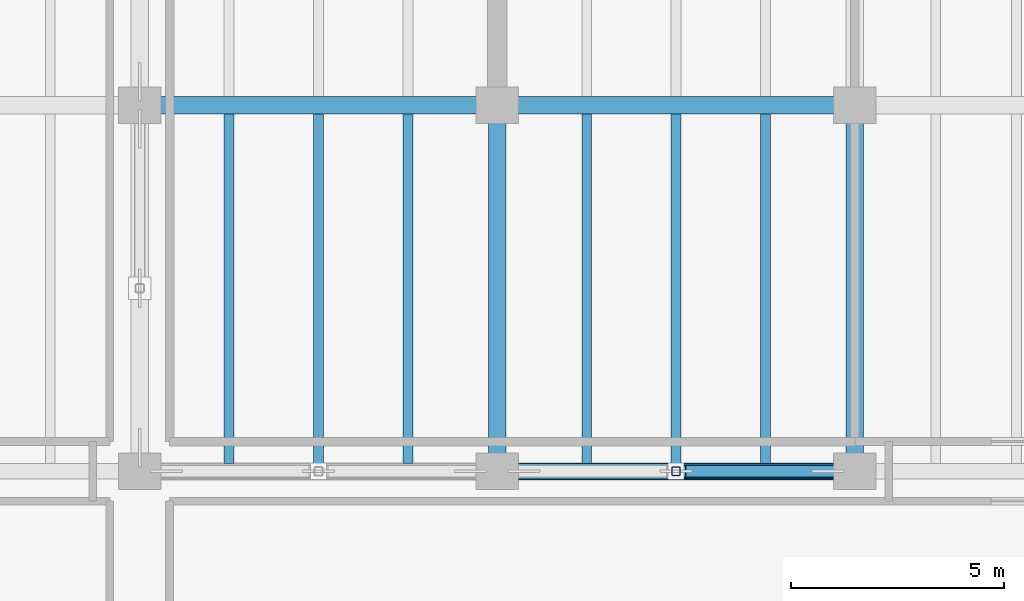
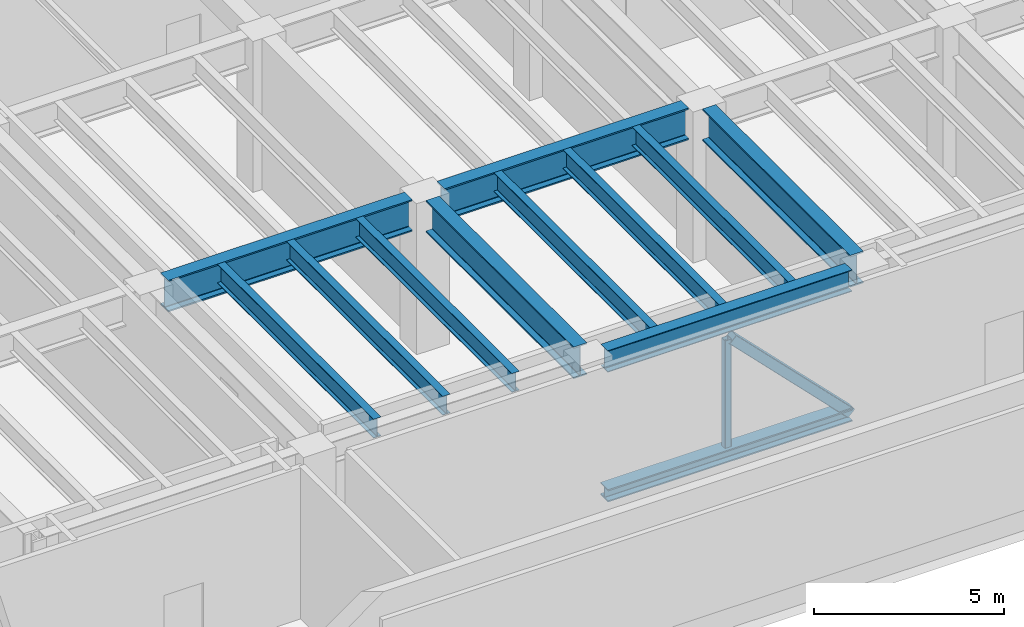
# One storey, part 3 of 18: 12 beams, 2 members.
"""IFC4 building model written with IfcOpenShell, lengths in metres."""

import ifcopenshell
import ifcopenshell.guid

model = None  # the IFC model being written
_history = None  # IfcOwnerHistory: only IFC2X3 demands one
_inside = {}  # id of a spatial element -> (the spatial element, [elements in it])
_under = {}  # id of a project, library or spatial element -> (it, [spatial elements below it])
_declared = {}  # id of a project -> (the project, [libraries it declares])
_typed = {}  # id of a type object -> (the type object, [elements of that type])
_made_of = {}  # id of a material, layer set ... -> (it, [elements and type objects made of it])


def new_model(schema):
    """Start an empty IFC model of exactly this schema.

    Asked for "IFC4X3", IfcOpenShell would pick the latest addendum, in which some entities
    have other attributes; the version numbers below select the first issue.
    IFC2X3 requires an IfcOwnerHistory on every rooted entity: one is made here for all.
    """
    global model, _history
    if schema == "IFC4X3":
        model = ifcopenshell.file(schema_version=(4, 3, 0, 0))
    else:
        model = ifcopenshell.file(schema=schema)
    _inside.clear()
    _under.clear()
    _declared.clear()
    _typed.clear()
    _made_of.clear()
    _history = None
    if model.schema == "IFC2X3":
        org = make("IfcOrganization", Name="unknown")
        user = make(
            "IfcPersonAndOrganization",
            ThePerson=make("IfcPerson", FamilyName="unknown"),
            TheOrganization=org,
        )
        app = make(
            "IfcApplication",
            ApplicationDeveloper=org,
            Version="unknown",
            ApplicationFullName="unknown",
            ApplicationIdentifier="unknown",
        )
        _history = make(
            "IfcOwnerHistory",
            OwningUser=user,
            OwningApplication=app,
            ChangeAction="ADDED",
            CreationDate=0,
        )
    return model


def make(cls, **values):
    """One entity of the class cls with the attributes given. An attribute that is None is left unset."""
    return model.create_entity(
        cls, **{name: value for name, value in values.items() if value is not None}
    )


def rooted(cls, **values):
    """An entity with a GlobalId (a new one), such as an element, a storey or a relation."""
    return make(cls, GlobalId=ifcopenshell.guid.new(), OwnerHistory=_history, **values)


def si_unit(unit_type, name, prefix=None):
    """IfcSIUnit, for example si_unit("LENGTHUNIT", "METRE", prefix="MILLI")."""
    return make("IfcSIUnit", UnitType=unit_type, Prefix=prefix, Name=name)


def assignment(units):
    """IfcUnitAssignment: the units of a project."""
    return None if units is None else make("IfcUnitAssignment", Units=units)


def point(xyz):
    """IfcCartesianPoint."""
    return None if xyz is None else make("IfcCartesianPoint", Coordinates=xyz)


def direction(xyz):
    """IfcDirection."""
    return None if xyz is None else make("IfcDirection", DirectionRatios=xyz)


def frame(location, z_axis=None, x_axis=None):
    """IfcAxis2Placement3D, a coordinate frame: its origin and axes. An axis left out is left unset."""
    return make(
        "IfcAxis2Placement3D",
        Location=point(location),
        Axis=direction(z_axis),
        RefDirection=direction(x_axis),
    )


def frame_2d(location, x_axis=None):
    """IfcAxis2Placement2D, a coordinate frame in the plane: its origin and x axis."""
    return make(
        "IfcAxis2Placement2D", Location=point(location), RefDirection=direction(x_axis)
    )


def origin():
    """The frame at (0, 0, 0) with its axes left unset."""
    return frame((0.0, 0.0, 0.0))


def origin_2d():
    """The frame at (0, 0) in the plane with its x axis left unset."""
    return frame_2d((0.0, 0.0))


def place(relative_to, where):
    """IfcLocalPlacement: puts the frame where relative to a parent placement (None: the world)."""
    return make(
        "IfcLocalPlacement", PlacementRelTo=relative_to, RelativePlacement=where
    )


def context(
    kind, dimensions, precision=None, world=None, true_north=None, identifier=None
):
    """IfcGeometricRepresentationContext, for example the 3D "Model" context."""
    return make(
        "IfcGeometricRepresentationContext",
        ContextIdentifier=identifier,
        ContextType=kind,
        CoordinateSpaceDimension=dimensions,
        Precision=precision,
        WorldCoordinateSystem=world,
        TrueNorth=true_north,
    )


def subcontext(parent, identifier, kind, view, scale=None):
    """IfcGeometricRepresentationSubContext, for example "Body" below "Model"."""
    return make(
        "IfcGeometricRepresentationSubContext",
        ContextIdentifier=identifier,
        ContextType=kind,
        ParentContext=parent,
        TargetScale=scale,
        TargetView=view,
    )


def project(units=None, contexts=None):
    """IfcProject with its units and contexts."""
    return rooted(
        "IfcProject",
        Name="project",
        RepresentationContexts=contexts,
        UnitsInContext=assignment(units),
    )


def spatial(cls, under=None, at=None, **own):
    """A site, building, storey or space (cls), placed at a placement, below another one or the project."""
    s = rooted(cls, ObjectPlacement=at, **own)
    if under is not None:
        _under.setdefault(under.id(), (under, []))[1].append(s)
    return s


def profile(cls, at=None, kind="AREA", **sizes):
    """A parametric profile (cls). Its sizes go by their IFC names, for example OverallWidth=200.0."""
    return make(cls, ProfileType=kind, Position=at, **sizes)


def hollow_rectangle(**sizes):
    """IfcRectangleHollowProfileDef."""
    return profile("IfcRectangleHollowProfileDef", **sizes)


def i_section(**sizes):
    """IfcIShapeProfileDef."""
    return profile("IfcIShapeProfileDef", **sizes)


def extrude(swept, where, along, depth):
    """IfcExtrudedAreaSolid: the profile swept, set in the frame where, extruded along a direction by depth."""
    return make(
        "IfcExtrudedAreaSolid",
        SweptArea=swept,
        Position=where,
        ExtrudedDirection=direction(along),
        Depth=depth,
    )


def shape(context_of_items, identifier, shape_type, items):
    """IfcShapeRepresentation: the items that make up one representation, for example the "Body"."""
    return make(
        "IfcShapeRepresentation",
        ContextOfItems=context_of_items,
        RepresentationIdentifier=identifier,
        RepresentationType=shape_type,
        Items=items,
    )


def material(Name=None, Category=None):
    """IfcMaterial."""
    return make("IfcMaterial", Name=Name, Category=Category)


def material_profile(
    of_material, cross_section, Name=None, Category=None, Priority=None
):
    """IfcMaterialProfile: a cross section and its material."""
    return make(
        "IfcMaterialProfile",
        Name=Name,
        Material=of_material,
        Profile=cross_section,
        Priority=Priority,
        Category=Category,
    )


def profile_set(profiles, Name=None, composite=None):
    """IfcMaterialProfileSet."""
    return make(
        "IfcMaterialProfileSet",
        Name=Name,
        MaterialProfiles=profiles,
        CompositeProfile=composite,
    )


def made_of(thing, what):
    """Note that an element or type object is made of a material, layer set ...; save() writes the relation."""
    if what is not None:
        _made_of.setdefault(what.id(), (what, []))[1].append(thing)
    return thing


def type_object(cls, material=None, **own):
    """A type object (cls), such as IfcWallType, which elements share."""
    return made_of(rooted(cls, **own), material)


def element(
    cls,
    number,
    at=None,
    inside=None,
    cuts=None,
    type_object=None,
    material=None,
    context=None,
    identifier="Body",
    shape_type=None,
    held_by="IfcProductDefinitionShape",
    body=None,
    shapes=None,
    **own,
):
    """One element of the class cls, such as IfcWall. Its Tag is "e" and its number.

    at: its placement. inside: the storey or other place that contains it. cuts: it is an
    opening in that element (IfcRelVoidsElement). A single representation is given by context,
    identifier, shape_type and body (its items); several are given by shapes. held_by: the class
    of the entity that holds the representations. save() writes the other relations.
    """
    e = rooted(cls, Tag="e%d" % number, ObjectPlacement=at, **own)
    if body is not None:
        shapes = [shape(context, identifier, shape_type, body)]
    if shapes is not None:
        e.Representation = make(held_by, Representations=shapes)
    if inside is not None:
        _inside.setdefault(inside.id(), (inside, []))[1].append(e)
    if cuts is not None:
        rooted(
            "IfcRelVoidsElement", RelatingBuildingElement=cuts, RelatedOpeningElement=e
        )
    if type_object is not None:
        _typed.setdefault(type_object.id(), (type_object, []))[1].append(e)
    return made_of(e, material)


def aggregate(whole, parts):
    """IfcRelAggregates: a whole, such as a stair, and the parts it consists of."""
    return rooted("IfcRelAggregates", RelatingObject=whole, RelatedObjects=parts)


def save(model, path):
    """Write the relations noted so far, then the file.

    IfcRelAggregates (storeys below a building ...), IfcRelContainedInSpatialStructure (elements
    in a storey), IfcRelDefinesByType, IfcRelAssociatesMaterial and IfcRelDeclares: one each for
    every whole, place, type object, material and project.
    """
    for whole, parts in _under.values():
        aggregate(whole, parts)
    for where, things in _inside.values():
        rooted(
            "IfcRelContainedInSpatialStructure",
            RelatedElements=things,
            RelatingStructure=where,
        )
    for kind, things in _typed.values():
        rooted("IfcRelDefinesByType", RelatedObjects=things, RelatingType=kind)
    for what, things in _made_of.values():
        rooted("IfcRelAssociatesMaterial", RelatedObjects=things, RelatingMaterial=what)
    for by, libraries in _declared.values():
        rooted("IfcRelDeclares", RelatingContext=by, RelatedDefinitions=libraries)
    model.write(path)


model = new_model("IFC4")

# Units and contexts
model_context = context("Model", 3, precision=1e-05, world=origin(), true_north=direction((0.0, 1.0)))
body_context = subcontext(model_context, "Body", "Model", "MODEL_VIEW")
ifc_project = project(units=[si_unit("LENGTHUNIT", "METRE"), si_unit("AREAUNIT", "SQUARE_METRE"), si_unit("VOLUMEUNIT", "CUBIC_METRE"), si_unit("PLANEANGLEUNIT", "RADIAN"), si_unit("MASSUNIT", "GRAM", prefix="KILO")], contexts=[model_context])

# Site, building, storey
site_placement = place(None, origin())
site = spatial("IfcSite", under=ifc_project, at=site_placement, CompositionType="ELEMENT")
building_placement = place(site_placement, origin())
building = spatial("IfcBuilding", under=site, at=building_placement, Name="Caelmar Bay Residences", CompositionType="ELEMENT")
storey_placement = place(building_placement, frame((0.0, 0.0, 152.10009765625)))
storey = spatial("IfcBuildingStorey", under=building, at=storey_placement, Name="L42", CompositionType="ELEMENT", Elevation=152.10009765625)

# Beams
ifc_material_1 = material(Name="Steel ASTM A992 Grade 50", Category="steel")
ifc_material_profile_1 = material_profile(ifc_material_1, i_section(OverallWidth=0.40087890625, OverallDepth=0.39892578125, WebThickness=0.02490234375, FlangeThickness=0.03955078125, FilletRadius=0.01513671875, at=origin_2d()), Name="W14X211")
ifc_profile_set_1 = profile_set([ifc_material_profile_1], Name="Steel ASTM A992 Grade 50")
beam_type_1 = type_object("IfcBeamType", Name="BM-CHD-W14X211", PredefinedType="BEAM", material=ifc_profile_set_1)
beam_1_placement = place(storey_placement, frame((27.18994140625, 12.199951171875, 0.199462890625), z_axis=(1.0, 0.0, 0.0), x_axis=(0.0, 1.0, 0.0)))
element("IfcBeam", 1, at=beam_1_placement, inside=storey, type_object=beam_type_1, Name="L42 Belt-Truss Bottom Chord 2", PredefinedType="BEAM", context=body_context, shape_type="SweptSolid", body=[
    extrude(i_section(OverallWidth=0.40087890625, OverallDepth=0.39892578125, WebThickness=0.02490234375, FlangeThickness=0.03955078125, FilletRadius=0.01513671875, at=origin_2d()), origin(), (0.0, 0.0, 1.0), 7.420166015625),
])
ifc_material_profile_2 = material_profile(ifc_material_1, i_section(OverallWidth=0.404052734375, OverallDepth=1.02099609375, WebThickness=0.025390625, FlangeThickness=0.0458984375, FilletRadius=0.02294921875, at=origin_2d()), Name="W40X324")
ifc_profile_set_2 = profile_set([ifc_material_profile_2], Name="Steel ASTM A992 Grade 50")
beam_type_2 = type_object("IfcBeamType", Name="BM-GRD-W40X324", PredefinedType="BEAM", material=ifc_profile_set_2)
beam_2_placement = place(storey_placement, frame((18.7900390625, 20.800048828125, 4.33935546875), z_axis=(1.0, 0.0, 0.0), x_axis=(0.0, 1.0, 0.0)))
element("IfcBeam", 2, at=beam_2_placement, inside=storey, type_object=beam_type_2, Name="L42 East-West Girder Y=20.80 (18.3-26.7)", PredefinedType="BEAM", context=body_context, shape_type="SweptSolid", body=[
    extrude(i_section(OverallWidth=0.404052734375, OverallDepth=1.02099609375, WebThickness=0.025390625, FlangeThickness=0.0458984375, FilletRadius=0.02294921875, at=origin_2d()), origin(), (0.0, 0.0, 1.0), 7.419921875),
])
beam_3_placement = place(storey_placement, frame((27.18994140625, 20.800048828125, 4.33935546875), z_axis=(1.0, 0.0, 0.0), x_axis=(0.0, 1.0, 0.0)))
element("IfcBeam", 3, at=beam_3_placement, inside=storey, type_object=beam_type_2, Name="L42 East-West Girder Y=20.80 (26.7-35.1)", PredefinedType="BEAM", context=body_context, shape_type="SweptSolid", body=[
    extrude(i_section(OverallWidth=0.404052734375, OverallDepth=1.02099609375, WebThickness=0.025390625, FlangeThickness=0.0458984375, FilletRadius=0.02294921875, at=origin_2d()), origin(), (0.0, 0.0, 1.0), 7.420166015625),
])
for number, where, z_axis, x_axis, name in (
    (4, (26.699951171875, 12.614990234375, 4.33935546875), (0.0, 1.0, 0.0), (-1.0, 0.0, 0.0), "L42 North-South Girder X=26.70 (12.2-20.8)"),
    (5, (35.10009765625, 12.614990234375, 4.33935546875), (0.0, 1.0, 0.0), (-1.0, 0.0, 0.0), "L42 North-South Girder X=35.10 (12.2-20.8)"),
):
    element("IfcBeam", number, at=place(storey_placement, frame(where, z_axis=z_axis, x_axis=x_axis)), inside=storey, type_object=beam_type_2, Name=name, PredefinedType="BEAM", context=body_context, shape_type="SweptSolid", body=[
        extrude(i_section(OverallWidth=0.404052734375, OverallDepth=1.02099609375, WebThickness=0.025390625, FlangeThickness=0.0458984375, FilletRadius=0.02294921875, at=origin_2d()), origin(), (0.0, 0.0, 1.0), 7.77001953125),
    ])
ifc_material_profile_3 = material_profile(ifc_material_1, i_section(OverallWidth=0.22900390625, OverallDepth=0.612060546875, WebThickness=0.011962890625, FlangeThickness=0.01953125, FilletRadius=0.0126953125, at=origin_2d()), Name="W24X84")
ifc_profile_set_3 = profile_set([ifc_material_profile_3], Name="Steel ASTM A992 Grade 50")
beam_type_3 = type_object("IfcBeamType", Name="BM-JST-W24X84", PredefinedType="JOIST", material=ifc_profile_set_3)
for number, where, z_axis, x_axis, name in (
    (6, (20.39990234375, 12.3779296875, 4.5439453125), (0.0, 1.0, 0.0), (-1.0, 0.0, 0.0), "L42 Composite Floor Joist 4"),
    (7, (22.5, 12.3779296875, 4.5439453125), (0.0, 1.0, 0.0), (-1.0, 0.0, 0.0), "L42 Composite Floor Joist 5"),
    (8, (24.60009765625, 12.3779296875, 4.5439453125), (0.0, 1.0, 0.0), (-1.0, 0.0, 0.0), "L42 Composite Floor Joist 6"),
    (9, (28.800048828125, 12.3779296875, 4.5439453125), (0.0, 1.0, 0.0), (-1.0, 0.0, 0.0), "L42 Composite Floor Joist 7"),
    (10, (30.89990234375, 12.3779296875, 4.5439453125), (0.0, 1.0, 0.0), (-1.0, 0.0, 0.0), "L42 Composite Floor Joist 8"),
    (11, (33.0, 12.3779296875, 4.5439453125), (0.0, 1.0, 0.0), (-1.0, 0.0, 0.0), "L42 Composite Floor Joist 9"),
):
    element("IfcBeam", number, at=place(storey_placement, frame(where, z_axis=z_axis, x_axis=x_axis)), inside=storey, type_object=beam_type_3, Name=name, PredefinedType="JOIST", context=body_context, shape_type="SweptSolid", body=[
        extrude(i_section(OverallWidth=0.22900390625, OverallDepth=0.612060546875, WebThickness=0.011962890625, FlangeThickness=0.01953125, FilletRadius=0.0126953125, at=origin_2d()), origin(), (0.0, 0.0, 1.0), 8.219970703125),
    ])
ifc_material_profile_4 = material_profile(ifc_material_1, i_section(OverallWidth=0.35595703125, OverallDepth=0.696044921875, WebThickness=0.015380859375, FlangeThickness=0.02490234375, FilletRadius=0.01513671875, at=origin_2d()), Name="W27X146")
ifc_profile_set_4 = profile_set([ifc_material_profile_4], Name="Steel ASTM A992 Grade 50")
beam_type_4 = type_object("IfcBeamType", Name="BM-SPN-W27X146", PredefinedType="SPANDREL", material=ifc_profile_set_4)
beam_4_placement = place(storey_placement, frame((27.18994140625, 12.199951171875, 4.501953125), z_axis=(1.0, 0.0, 0.0), x_axis=(0.0, 1.0, 0.0)))
element("IfcBeam", 12, at=beam_4_placement, inside=storey, type_object=beam_type_4, Name="L42 East-West Girder Y=12.20 (26.7-35.1)", PredefinedType="SPANDREL", context=body_context, shape_type="SweptSolid", body=[
    extrude(i_section(OverallWidth=0.35595703125, OverallDepth=0.696044921875, WebThickness=0.015380859375, FlangeThickness=0.02490234375, FilletRadius=0.01513671875, at=origin_2d()), origin(), (0.0, 0.0, 1.0), 7.420166015625),
])

# Members
ifc_material_2 = material(Name="Steel ASTM A500 Grade C", Category="steel")
ifc_material_profile_5 = material_profile(ifc_material_2, hollow_rectangle(XDim=0.304931640625, YDim=0.304931640625, WallThickness=0.014892578125, InnerFilletRadius=0.014892578125, OuterFilletRadius=0.029541015625, at=origin_2d()), Name="HSS300X300X15.9")
ifc_profile_set_5 = profile_set([ifc_material_profile_5], Name="Steel ASTM A500 Grade C")
member_type_1 = type_object("IfcMemberType", Name="MEM-BRC-HSS300", PredefinedType="BRACE", material=ifc_profile_set_5)
member_1_placement = place(storey_placement, frame((34.610107421875, 12.199951171875, 0.219970703125), z_axis=(-0.703772728365, 0.0, 0.710425187341), x_axis=(0.0, -1.0, 0.0)))
element("IfcMember", 13, at=member_1_placement, inside=storey, type_object=member_type_1, Name="L42 Belt-Truss Chevron 2B", PredefinedType="BRACE", context=body_context, shape_type="SweptSolid", body=[
    extrude(hollow_rectangle(XDim=0.304931640625, YDim=0.304931640625, WallThickness=0.014892578125, InnerFilletRadius=0.014892578125, OuterFilletRadius=0.029541015625, at=origin_2d()), origin(), (0.0, 0.0, 1.0), 5.101318359375),
])
ifc_material_profile_6 = material_profile(ifc_material_2, hollow_rectangle(XDim=0.202880859375, YDim=0.202880859375, WallThickness=0.01171875, InnerFilletRadius=0.01171875, OuterFilletRadius=0.023681640625, at=origin_2d()), Name="HSS200X200X12.7")
ifc_profile_set_6 = profile_set([ifc_material_profile_6], Name="Steel ASTM A500 Grade C")
member_type_2 = type_object("IfcMemberType", Name="MEM-PST-HSS200", PredefinedType="POST", material=ifc_profile_set_6)
member_2_placement = place(storey_placement, frame((30.89990234375, 12.199951171875, 0.39892578125), z_axis=(0.0, 0.0, 1.0), x_axis=(1.0, 0.0, 0.0)))
element("IfcMember", 14, at=member_2_placement, inside=storey, type_object=member_type_2, Name="L42 Belt-Truss Vertical Post 2", PredefinedType="POST", context=body_context, shape_type="SweptSolid", body=[
    extrude(hollow_rectangle(XDim=0.202880859375, YDim=0.202880859375, WallThickness=0.01171875, InnerFilletRadius=0.01171875, OuterFilletRadius=0.023681640625, at=origin_2d()), origin(), (0.0, 0.0, 1.0), 3.445068359375),
])

save(model, "model.ifc")
